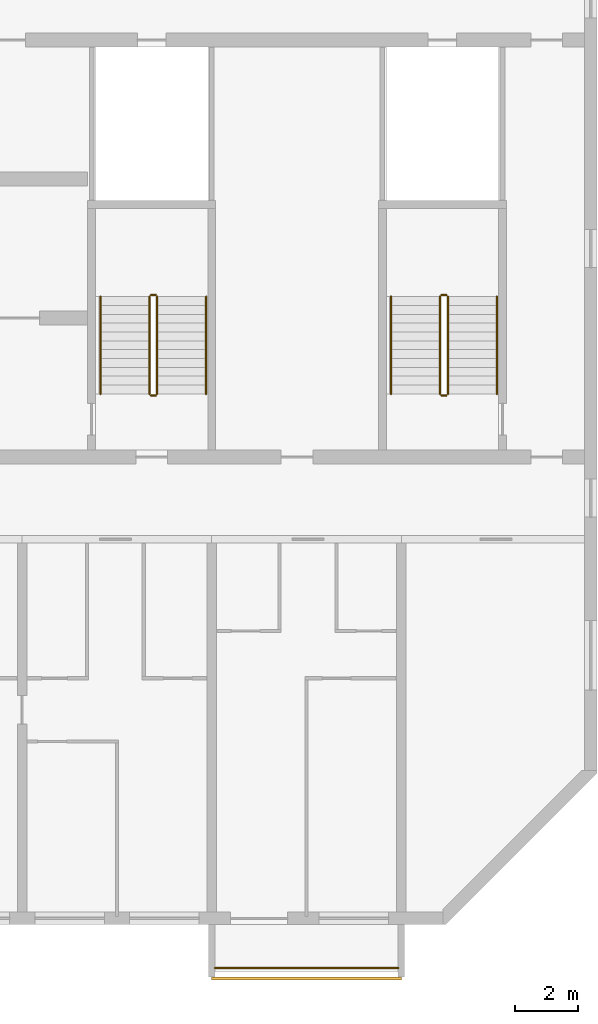
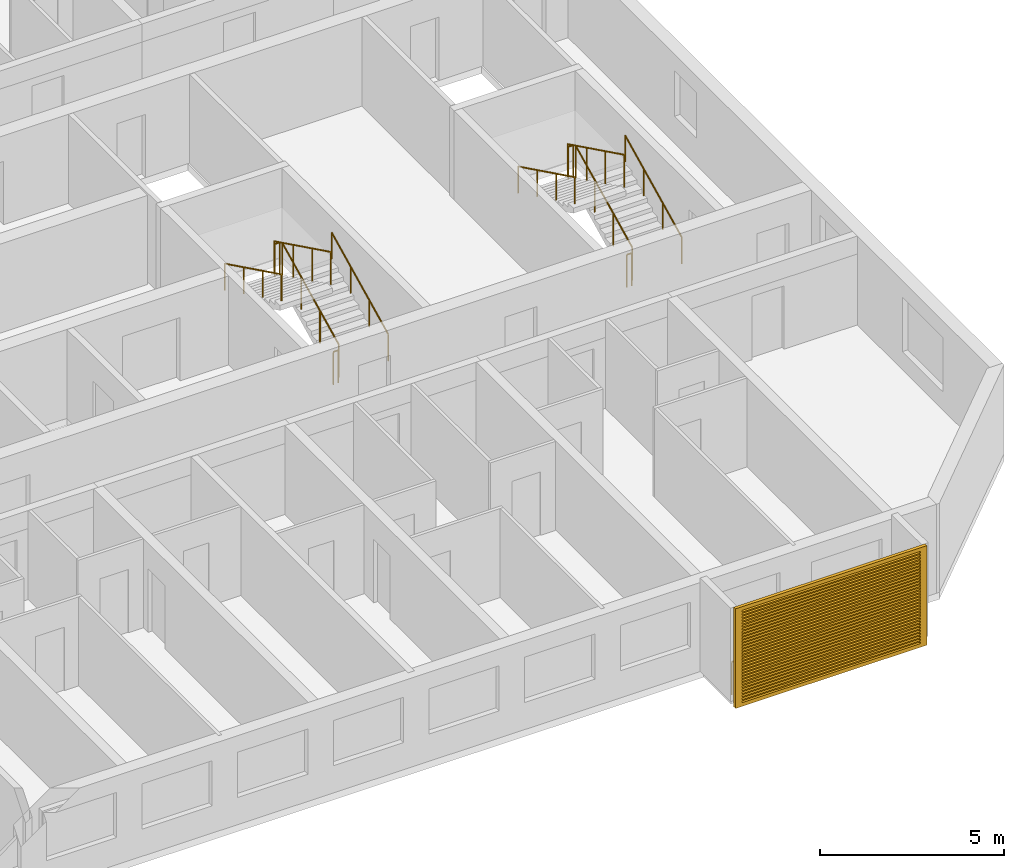
# One storey, part 14 of 26: 13 railings, 1 shading device.
"""IFC4 building model written with IfcOpenShell, lengths in metres."""

from ifc_helpers import new_model, si_unit, direction, frame, origin, origin_2d, place, context, subcontext, project, spatial, polyline, circle, outline, extrude, source, transform, mapped, material, material_profile, profile_set, type_object, element, save


model = new_model("IFC4")

# Units and contexts
model_context = context("Model", 3, precision=1e-05, world=origin(), true_north=direction((0.0, 1.0)))
body_context = subcontext(model_context, "Body", "Model", "MODEL_VIEW")
ifc_project = project(units=[si_unit("LENGTHUNIT", "METRE"), si_unit("AREAUNIT", "SQUARE_METRE"), si_unit("VOLUMEUNIT", "CUBIC_METRE"), si_unit("PLANEANGLEUNIT", "RADIAN"), si_unit("MASSUNIT", "GRAM", prefix="KILO")], contexts=[model_context])

# Site, building, storey
site_placement = place(None, origin())
site = spatial("IfcSite", under=ifc_project, at=site_placement, CompositionType="ELEMENT")
building_placement = place(site_placement, origin())
building = spatial("IfcBuilding", under=site, at=building_placement, Name="Poui Terraces", CompositionType="ELEMENT")
storey_placement = place(building_placement, frame((0.0, 0.0, 162.0)))
storey = spatial("IfcBuildingStorey", under=building, at=storey_placement, Name="L45", CompositionType="ELEMENT", Elevation=162.0)

# Railings
ifc_material_1 = material(Name="Painted steel fretwork", Category="steel")
railing_type_1 = type_object("IfcRailingType", Name="BALCONY GUARD 1100", PredefinedType="GUARDRAIL", material=ifc_material_1)
railing_1_placement = place(storey_placement, frame((72.10009765625, -1.570068359375, 0.0)))
element("IfcRailing", 1, at=railing_1_placement, inside=storey, type_object=railing_type_1, Name="BALCONY GUARD", PredefinedType="GUARDRAIL", context=body_context, shape_type="SweptSolid", body=[
    extrude(circle(Radius=0.02392578125, at=origin_2d()), frame((0.0, 0.0, 1.076171875), z_axis=(1.0, 0.0, 0.0), x_axis=(0.0, 1.0, 0.0)), (0.0, 0.0, 1.0), 5.7998046875),
    extrude(circle(Radius=0.02099609375, at=origin_2d()), origin(), (0.0, 0.0, 1.0), 1.052001953125),
    extrude(circle(Radius=0.02099609375, at=origin_2d()), frame((0.966552734375, 0.0, 0.0)), (0.0, 0.0, 1.0), 1.052001953125),
    extrude(circle(Radius=0.02099609375, at=origin_2d()), frame((1.933349609375, 0.0, 0.0)), (0.0, 0.0, 1.0), 1.052001953125),
    extrude(circle(Radius=0.02099609375, at=origin_2d()), frame((2.89990234375, 0.0, 0.0)), (0.0, 0.0, 1.0), 1.052001953125),
    extrude(circle(Radius=0.02099609375, at=origin_2d()), frame((3.866455078125, 0.0, 0.0)), (0.0, 0.0, 1.0), 1.052001953125),
    extrude(circle(Radius=0.02099609375, at=origin_2d()), frame((4.833251953125, 0.0, 0.0)), (0.0, 0.0, 1.0), 1.052001953125),
    extrude(circle(Radius=0.02099609375, at=origin_2d()), frame((5.7998046875, 0.0, 0.0)), (0.0, 0.0, 1.0), 1.052001953125),
])
ifc_material_2 = material(Name="Galvanised steel balustrade", Category="steel")
railing_type_2 = type_object("IfcRailingType", Name="STAIR GUARD 1100", PredefinedType="GUARDRAIL", material=ifc_material_2)
railing_2_placement = place(storey_placement, frame((70.27490234375, 16.60009765625, 0.137451171875)))
element("IfcRailing", 2, at=railing_2_placement, inside=storey, type_object=railing_type_2, Name="L45 ST-CE stair guard 1", PredefinedType="GUARDRAIL", context=body_context, shape_type="SweptSolid", body=[
    extrude(circle(Radius=0.02392578125, at=origin_2d()), frame((0.0, 0.0, 1.076171875), z_axis=(0.0, 0.897606190399, 0.440798283751), x_axis=(-1.0, 0.0, 0.0)), (0.0, 0.0, 1.0), 3.43115234375),
    extrude(circle(Radius=0.02099609375, at=origin_2d()), origin(), (0.0, 0.0, 1.0), 1.052001953125),
    extrude(circle(Radius=0.02099609375, at=origin_2d()), frame((0.0, 1.026611328125, 0.504150390625)), (0.0, 0.0, 1.0), 1.052001953125),
    extrude(circle(Radius=0.02099609375, at=origin_2d()), frame((0.0, 2.05322265625, 1.00830078125)), (0.0, 0.0, 1.0), 1.052001953125),
    extrude(circle(Radius=0.02099609375, at=origin_2d()), frame((0.0, 3.079833984375, 1.512451171875)), (0.0, 0.0, 1.0), 1.052001953125),
])
railing_3_placement = place(storey_placement, frame((70.22509765625, 19.72998046875, 1.64990234375)))
element("IfcRailing", 3, at=railing_3_placement, inside=storey, type_object=railing_type_2, Name="L45 ST-CE stair guard 2", PredefinedType="GUARDRAIL", context=body_context, shape_type="SweptSolid", body=[
    extrude(circle(Radius=0.02392578125, at=origin_2d()), frame((0.0, 0.0, 1.076171875), z_axis=(-1.0, 0.0, 0.0), x_axis=(0.0, -1.0, 0.0)), (0.0, 0.0, 1.0), 0.150146484375),
    extrude(circle(Radius=0.02099609375, at=origin_2d()), origin(), (0.0, 0.0, 1.0), 1.052001953125),
    extrude(circle(Radius=0.02099609375, at=origin_2d()), frame((-0.150146484375, 0.0, 0.0)), (0.0, 0.0, 1.0), 1.052001953125),
])
railing_4_placement = place(storey_placement, frame((70.02490234375, 19.679931640625, 1.78759765625)))
element("IfcRailing", 4, at=railing_4_placement, inside=storey, type_object=railing_type_2, Name="L45 ST-CE stair guard 3", PredefinedType="GUARDRAIL", context=body_context, shape_type="SweptSolid", body=[
    extrude(circle(Radius=0.02392578125, at=origin_2d()), frame((0.0, 0.0, 1.076171875), z_axis=(0.0, -0.897606190399, 0.440798283751), x_axis=(1.0, 0.0, 0.0)), (0.0, 0.0, 1.0), 3.43115234375),
    extrude(circle(Radius=0.02099609375, at=origin_2d()), origin(), (0.0, 0.0, 1.0), 1.052001953125),
    extrude(circle(Radius=0.02099609375, at=origin_2d()), frame((0.0, -1.026611328125, 0.504150390625)), (0.0, 0.0, 1.0), 1.052001953125),
    extrude(circle(Radius=0.02099609375, at=origin_2d()), frame((0.0, -2.05322265625, 1.00830078125)), (0.0, 0.0, 1.0), 1.052001953125),
    extrude(circle(Radius=0.02099609375, at=origin_2d()), frame((0.0, -3.079833984375, 1.512451171875)), (0.0, 0.0, 1.0), 1.052001953125),
])
railing_5_placement = place(storey_placement, frame((70.22509765625, 16.550048828125, 0.0)))
element("IfcRailing", 5, at=railing_5_placement, inside=storey, type_object=railing_type_2, Name="L45 ST-CE stair guard 4", PredefinedType="GUARDRAIL", context=body_context, shape_type="SweptSolid", body=[
    extrude(circle(Radius=0.02392578125, at=origin_2d()), frame((0.0, 0.0, 1.076171875), z_axis=(-1.0, 0.0, 0.0), x_axis=(0.0, -1.0, 0.0)), (0.0, 0.0, 1.0), 0.150146484375),
    extrude(circle(Radius=0.02099609375, at=origin_2d()), origin(), (0.0, 0.0, 1.0), 1.052001953125),
    extrude(circle(Radius=0.02099609375, at=origin_2d()), frame((-0.150146484375, 0.0, 0.0)), (0.0, 0.0, 1.0), 1.052001953125),
])
railing_6_placement = place(storey_placement, frame((79.47509765625, 16.60009765625, 0.137451171875)))
element("IfcRailing", 6, at=railing_6_placement, inside=storey, type_object=railing_type_2, Name="L45 ST-E stair guard 1", PredefinedType="GUARDRAIL", context=body_context, shape_type="SweptSolid", body=[
    extrude(circle(Radius=0.02392578125, at=origin_2d()), frame((0.0, 0.0, 1.076171875), z_axis=(0.0, 0.897606190399, 0.440798283751), x_axis=(-1.0, 0.0, 0.0)), (0.0, 0.0, 1.0), 3.43115234375),
    extrude(circle(Radius=0.02099609375, at=origin_2d()), origin(), (0.0, 0.0, 1.0), 1.052001953125),
    extrude(circle(Radius=0.02099609375, at=origin_2d()), frame((0.0, 1.026611328125, 0.504150390625)), (0.0, 0.0, 1.0), 1.052001953125),
    extrude(circle(Radius=0.02099609375, at=origin_2d()), frame((0.0, 2.05322265625, 1.00830078125)), (0.0, 0.0, 1.0), 1.052001953125),
    extrude(circle(Radius=0.02099609375, at=origin_2d()), frame((0.0, 3.079833984375, 1.512451171875)), (0.0, 0.0, 1.0), 1.052001953125),
])
railing_7_placement = place(storey_placement, frame((79.425048828125, 19.72998046875, 1.64990234375)))
element("IfcRailing", 7, at=railing_7_placement, inside=storey, type_object=railing_type_2, Name="L45 ST-E stair guard 2", PredefinedType="GUARDRAIL", context=body_context, shape_type="SweptSolid", body=[
    extrude(circle(Radius=0.02392578125, at=origin_2d()), frame((0.0, 0.0, 1.076171875), z_axis=(-1.0, 0.0, 0.0), x_axis=(0.0, -1.0, 0.0)), (0.0, 0.0, 1.0), 0.150146484375),
    extrude(circle(Radius=0.02099609375, at=origin_2d()), origin(), (0.0, 0.0, 1.0), 1.052001953125),
    extrude(circle(Radius=0.02099609375, at=origin_2d()), frame((-0.150146484375, 0.0, 0.0)), (0.0, 0.0, 1.0), 1.052001953125),
])
railing_8_placement = place(storey_placement, frame((79.22509765625, 19.679931640625, 1.78759765625)))
element("IfcRailing", 8, at=railing_8_placement, inside=storey, type_object=railing_type_2, Name="L45 ST-E stair guard 3", PredefinedType="GUARDRAIL", context=body_context, shape_type="SweptSolid", body=[
    extrude(circle(Radius=0.02392578125, at=origin_2d()), frame((0.0, 0.0, 1.076171875), z_axis=(0.0, -0.897606190399, 0.440798283751), x_axis=(1.0, 0.0, 0.0)), (0.0, 0.0, 1.0), 3.43115234375),
    extrude(circle(Radius=0.02099609375, at=origin_2d()), origin(), (0.0, 0.0, 1.0), 1.052001953125),
    extrude(circle(Radius=0.02099609375, at=origin_2d()), frame((0.0, -1.026611328125, 0.504150390625)), (0.0, 0.0, 1.0), 1.052001953125),
    extrude(circle(Radius=0.02099609375, at=origin_2d()), frame((0.0, -2.05322265625, 1.00830078125)), (0.0, 0.0, 1.0), 1.052001953125),
    extrude(circle(Radius=0.02099609375, at=origin_2d()), frame((0.0, -3.079833984375, 1.512451171875)), (0.0, 0.0, 1.0), 1.052001953125),
])
railing_9_placement = place(storey_placement, frame((79.425048828125, 16.550048828125, 0.0)))
element("IfcRailing", 9, at=railing_9_placement, inside=storey, type_object=railing_type_2, Name="L45 ST-E stair guard 4", PredefinedType="GUARDRAIL", context=body_context, shape_type="SweptSolid", body=[
    extrude(circle(Radius=0.02392578125, at=origin_2d()), frame((0.0, 0.0, 1.076171875), z_axis=(-1.0, 0.0, 0.0), x_axis=(0.0, -1.0, 0.0)), (0.0, 0.0, 1.0), 0.150146484375),
    extrude(circle(Radius=0.02099609375, at=origin_2d()), origin(), (0.0, 0.0, 1.0), 1.052001953125),
    extrude(circle(Radius=0.02099609375, at=origin_2d()), frame((-0.150146484375, 0.0, 0.0)), (0.0, 0.0, 1.0), 1.052001953125),
])
ifc_material_3 = material(Name="Stainless steel handrail", Category="steel")
railing_type_3 = type_object("IfcRailingType", Name="STAIR HANDRAIL 900", PredefinedType="HANDRAIL", material=ifc_material_3)
railing_10_placement = place(storey_placement, frame((71.824951171875, 16.60009765625, 0.137451171875)))
element("IfcRailing", 10, at=railing_10_placement, inside=storey, type_object=railing_type_3, Name="L45 ST-CE stair handrail 1", PredefinedType="HANDRAIL", context=body_context, shape_type="SweptSolid", body=[
    extrude(circle(Radius=0.02392578125, at=origin_2d()), frame((0.0, 0.0, 0.8759765625), z_axis=(0.0, 0.897606190399, 0.440798283751), x_axis=(-1.0, 0.0, 0.0)), (0.0, 0.0, 1.0), 3.43115234375),
    extrude(circle(Radius=0.02099609375, at=origin_2d()), origin(), (0.0, 0.0, 1.0), 0.851806640625),
    extrude(circle(Radius=0.02099609375, at=origin_2d()), frame((0.0, 1.026611328125, 0.504150390625)), (0.0, 0.0, 1.0), 0.851806640625),
    extrude(circle(Radius=0.02099609375, at=origin_2d()), frame((0.0, 2.05322265625, 1.00830078125)), (0.0, 0.0, 1.0), 0.851806640625),
    extrude(circle(Radius=0.02099609375, at=origin_2d()), frame((0.0, 3.079833984375, 1.512451171875)), (0.0, 0.0, 1.0), 0.851806640625),
])
railing_11_placement = place(storey_placement, frame((68.47509765625, 19.679931640625, 1.78759765625)))
element("IfcRailing", 11, at=railing_11_placement, inside=storey, type_object=railing_type_3, Name="L45 ST-CE stair handrail 2", PredefinedType="HANDRAIL", context=body_context, shape_type="SweptSolid", body=[
    extrude(circle(Radius=0.02392578125, at=origin_2d()), frame((0.0, 0.0, 0.8759765625), z_axis=(0.0, -0.897606190399, 0.440798283751), x_axis=(1.0, 0.0, 0.0)), (0.0, 0.0, 1.0), 3.43115234375),
    extrude(circle(Radius=0.02099609375, at=origin_2d()), origin(), (0.0, 0.0, 1.0), 0.851806640625),
    extrude(circle(Radius=0.02099609375, at=origin_2d()), frame((0.0, -1.026611328125, 0.504150390625)), (0.0, 0.0, 1.0), 0.851806640625),
    extrude(circle(Radius=0.02099609375, at=origin_2d()), frame((0.0, -2.05322265625, 1.00830078125)), (0.0, 0.0, 1.0), 0.851806640625),
    extrude(circle(Radius=0.02099609375, at=origin_2d()), frame((0.0, -3.079833984375, 1.512451171875)), (0.0, 0.0, 1.0), 0.851806640625),
])
railing_12_placement = place(storey_placement, frame((81.02490234375, 16.60009765625, 0.137451171875)))
element("IfcRailing", 12, at=railing_12_placement, inside=storey, type_object=railing_type_3, Name="L45 ST-E stair handrail 1", PredefinedType="HANDRAIL", context=body_context, shape_type="SweptSolid", body=[
    extrude(circle(Radius=0.02392578125, at=origin_2d()), frame((0.0, 0.0, 0.8759765625), z_axis=(0.0, 0.897606190399, 0.440798283751), x_axis=(-1.0, 0.0, 0.0)), (0.0, 0.0, 1.0), 3.43115234375),
    extrude(circle(Radius=0.02099609375, at=origin_2d()), origin(), (0.0, 0.0, 1.0), 0.851806640625),
    extrude(circle(Radius=0.02099609375, at=origin_2d()), frame((0.0, 1.026611328125, 0.504150390625)), (0.0, 0.0, 1.0), 0.851806640625),
    extrude(circle(Radius=0.02099609375, at=origin_2d()), frame((0.0, 2.05322265625, 1.00830078125)), (0.0, 0.0, 1.0), 0.851806640625),
    extrude(circle(Radius=0.02099609375, at=origin_2d()), frame((0.0, 3.079833984375, 1.512451171875)), (0.0, 0.0, 1.0), 0.851806640625),
])
railing_13_placement = place(storey_placement, frame((77.675048828125, 19.679931640625, 1.78759765625)))
element("IfcRailing", 13, at=railing_13_placement, inside=storey, type_object=railing_type_3, Name="L45 ST-E stair handrail 2", PredefinedType="HANDRAIL", context=body_context, shape_type="SweptSolid", body=[
    extrude(circle(Radius=0.02392578125, at=origin_2d()), frame((0.0, 0.0, 0.8759765625), z_axis=(0.0, -0.897606190399, 0.440798283751), x_axis=(1.0, 0.0, 0.0)), (0.0, 0.0, 1.0), 3.43115234375),
    extrude(circle(Radius=0.02099609375, at=origin_2d()), origin(), (0.0, 0.0, 1.0), 0.851806640625),
    extrude(circle(Radius=0.02099609375, at=origin_2d()), frame((0.0, -1.026611328125, 0.504150390625)), (0.0, 0.0, 1.0), 0.851806640625),
    extrude(circle(Radius=0.02099609375, at=origin_2d()), frame((0.0, -2.05322265625, 1.00830078125)), (0.0, 0.0, 1.0), 0.851806640625),
    extrude(circle(Radius=0.02099609375, at=origin_2d()), frame((0.0, -3.079833984375, 1.512451171875)), (0.0, 0.0, 1.0), 0.851806640625),
])

# Shading device
ifc_material_4 = material(Name="Aluminium louvre", Category="aluminium")
ifc_material_profile = material_profile(ifc_material_4, outline(polyline([(-3.0, -1.64990234375), (3.0, -1.64990234375), (3.0, 1.64990234375), (-3.0, 1.64990234375), (-3.0, -1.64990234375)]), holes=[polyline([(-2.800048828125, -1.530029296875), (2.800048828125, -1.530029296875), (2.800048828125, -1.469970703125), (-2.800048828125, -1.469970703125), (-2.800048828125, -1.530029296875)]), polyline([(-2.800048828125, -1.429931640625), (2.800048828125, -1.429931640625), (2.800048828125, -1.3701171875), (-2.800048828125, -1.3701171875), (-2.800048828125, -1.429931640625)]), polyline([(-2.800048828125, -1.330078125), (2.800048828125, -1.330078125), (2.800048828125, -1.27001953125), (-2.800048828125, -1.27001953125), (-2.800048828125, -1.330078125)]), polyline([(-2.800048828125, -1.22998046875), (2.800048828125, -1.22998046875), (2.800048828125, -1.169921875), (-2.800048828125, -1.169921875), (-2.800048828125, -1.22998046875)]), polyline([(-2.800048828125, -1.1298828125), (2.800048828125, -1.1298828125), (2.800048828125, -1.070068359375), (-2.800048828125, -1.070068359375), (-2.800048828125, -1.1298828125)]), polyline([(-2.800048828125, -1.030029296875), (2.800048828125, -1.030029296875), (2.800048828125, -0.969970703125), (-2.800048828125, -0.969970703125), (-2.800048828125, -1.030029296875)]), polyline([(-2.800048828125, -0.929931640625), (2.800048828125, -0.929931640625), (2.800048828125, -0.8701171875), (-2.800048828125, -0.8701171875), (-2.800048828125, -0.929931640625)]), polyline([(-2.800048828125, -0.830078125), (2.800048828125, -0.830078125), (2.800048828125, -0.77001953125), (-2.800048828125, -0.77001953125), (-2.800048828125, -0.830078125)]), polyline([(-2.800048828125, -0.72998046875), (2.800048828125, -0.72998046875), (2.800048828125, -0.669921875), (-2.800048828125, -0.669921875), (-2.800048828125, -0.72998046875)]), polyline([(-2.800048828125, -0.6298828125), (2.800048828125, -0.6298828125), (2.800048828125, -0.570068359375), (-2.800048828125, -0.570068359375), (-2.800048828125, -0.6298828125)]), polyline([(-2.800048828125, -0.530029296875), (2.800048828125, -0.530029296875), (2.800048828125, -0.469970703125), (-2.800048828125, -0.469970703125), (-2.800048828125, -0.530029296875)]), polyline([(-2.800048828125, -0.429931640625), (2.800048828125, -0.429931640625), (2.800048828125, -0.3701171875), (-2.800048828125, -0.3701171875), (-2.800048828125, -0.429931640625)]), polyline([(-2.800048828125, -0.330078125), (2.800048828125, -0.330078125), (2.800048828125, -0.27001953125), (-2.800048828125, -0.27001953125), (-2.800048828125, -0.330078125)]), polyline([(-2.800048828125, -0.22998046875), (2.800048828125, -0.22998046875), (2.800048828125, -0.169921875), (-2.800048828125, -0.169921875), (-2.800048828125, -0.22998046875)]), polyline([(-2.800048828125, -0.1298828125), (2.800048828125, -0.1298828125), (2.800048828125, -0.070068359375), (-2.800048828125, -0.070068359375), (-2.800048828125, -0.1298828125)]), polyline([(-2.800048828125, -0.030029296875), (2.800048828125, -0.030029296875), (2.800048828125, 0.030029296875), (-2.800048828125, 0.030029296875), (-2.800048828125, -0.030029296875)]), polyline([(-2.800048828125, 0.070068359375), (2.800048828125, 0.070068359375), (2.800048828125, 0.1298828125), (-2.800048828125, 0.1298828125), (-2.800048828125, 0.070068359375)]), polyline([(-2.800048828125, 0.169921875), (2.800048828125, 0.169921875), (2.800048828125, 0.22998046875), (-2.800048828125, 0.22998046875), (-2.800048828125, 0.169921875)]), polyline([(-2.800048828125, 0.27001953125), (2.800048828125, 0.27001953125), (2.800048828125, 0.330078125), (-2.800048828125, 0.330078125), (-2.800048828125, 0.27001953125)]), polyline([(-2.800048828125, 0.3701171875), (2.800048828125, 0.3701171875), (2.800048828125, 0.429931640625), (-2.800048828125, 0.429931640625), (-2.800048828125, 0.3701171875)]), polyline([(-2.800048828125, 0.469970703125), (2.800048828125, 0.469970703125), (2.800048828125, 0.530029296875), (-2.800048828125, 0.530029296875), (-2.800048828125, 0.469970703125)]), polyline([(-2.800048828125, 0.570068359375), (2.800048828125, 0.570068359375), (2.800048828125, 0.6298828125), (-2.800048828125, 0.6298828125), (-2.800048828125, 0.570068359375)]), polyline([(-2.800048828125, 0.669921875), (2.800048828125, 0.669921875), (2.800048828125, 0.72998046875), (-2.800048828125, 0.72998046875), (-2.800048828125, 0.669921875)]), polyline([(-2.800048828125, 0.77001953125), (2.800048828125, 0.77001953125), (2.800048828125, 0.830078125), (-2.800048828125, 0.830078125), (-2.800048828125, 0.77001953125)]), polyline([(-2.800048828125, 0.8701171875), (2.800048828125, 0.8701171875), (2.800048828125, 0.929931640625), (-2.800048828125, 0.929931640625), (-2.800048828125, 0.8701171875)]), polyline([(-2.800048828125, 0.969970703125), (2.800048828125, 0.969970703125), (2.800048828125, 1.030029296875), (-2.800048828125, 1.030029296875), (-2.800048828125, 0.969970703125)]), polyline([(-2.800048828125, 1.070068359375), (2.800048828125, 1.070068359375), (2.800048828125, 1.1298828125), (-2.800048828125, 1.1298828125), (-2.800048828125, 1.070068359375)]), polyline([(-2.800048828125, 1.169921875), (2.800048828125, 1.169921875), (2.800048828125, 1.22998046875), (-2.800048828125, 1.22998046875), (-2.800048828125, 1.169921875)]), polyline([(-2.800048828125, 1.27001953125), (2.800048828125, 1.27001953125), (2.800048828125, 1.330078125), (-2.800048828125, 1.330078125), (-2.800048828125, 1.27001953125)]), polyline([(-2.800048828125, 1.3701171875), (2.800048828125, 1.3701171875), (2.800048828125, 1.429931640625), (-2.800048828125, 1.429931640625), (-2.800048828125, 1.3701171875)]), polyline([(-2.800048828125, 1.469970703125), (2.800048828125, 1.469970703125), (2.800048828125, 1.530029296875), (-2.800048828125, 1.530029296875), (-2.800048828125, 1.469970703125)])]), Name="JALOUSIE LOUVRE SHUTTER 6000X3300")
ifc_profile_set = profile_set([ifc_material_profile], Name="Aluminium louvre")
shading_device_type = type_object("IfcShadingDeviceType", Name="JALOUSIE LOUVRE SHUTTER 6000X3300", PredefinedType="JALOUSIE", material=ifc_profile_set)
shared_shape = source(origin(), body_context, "Body", "SweptSolid", [
    extrude(outline(polyline([(-3.0, -1.64990234375), (3.0, -1.64990234375), (3.0, 1.64990234375), (-3.0, 1.64990234375), (-3.0, -1.64990234375)]), holes=[polyline([(-2.800048828125, -1.530029296875), (2.800048828125, -1.530029296875), (2.800048828125, -1.469970703125), (-2.800048828125, -1.469970703125), (-2.800048828125, -1.530029296875)]), polyline([(-2.800048828125, -1.429931640625), (2.800048828125, -1.429931640625), (2.800048828125, -1.3701171875), (-2.800048828125, -1.3701171875), (-2.800048828125, -1.429931640625)]), polyline([(-2.800048828125, -1.330078125), (2.800048828125, -1.330078125), (2.800048828125, -1.27001953125), (-2.800048828125, -1.27001953125), (-2.800048828125, -1.330078125)]), polyline([(-2.800048828125, -1.22998046875), (2.800048828125, -1.22998046875), (2.800048828125, -1.169921875), (-2.800048828125, -1.169921875), (-2.800048828125, -1.22998046875)]), polyline([(-2.800048828125, -1.1298828125), (2.800048828125, -1.1298828125), (2.800048828125, -1.070068359375), (-2.800048828125, -1.070068359375), (-2.800048828125, -1.1298828125)]), polyline([(-2.800048828125, -1.030029296875), (2.800048828125, -1.030029296875), (2.800048828125, -0.969970703125), (-2.800048828125, -0.969970703125), (-2.800048828125, -1.030029296875)]), polyline([(-2.800048828125, -0.929931640625), (2.800048828125, -0.929931640625), (2.800048828125, -0.8701171875), (-2.800048828125, -0.8701171875), (-2.800048828125, -0.929931640625)]), polyline([(-2.800048828125, -0.830078125), (2.800048828125, -0.830078125), (2.800048828125, -0.77001953125), (-2.800048828125, -0.77001953125), (-2.800048828125, -0.830078125)]), polyline([(-2.800048828125, -0.72998046875), (2.800048828125, -0.72998046875), (2.800048828125, -0.669921875), (-2.800048828125, -0.669921875), (-2.800048828125, -0.72998046875)]), polyline([(-2.800048828125, -0.6298828125), (2.800048828125, -0.6298828125), (2.800048828125, -0.570068359375), (-2.800048828125, -0.570068359375), (-2.800048828125, -0.6298828125)]), polyline([(-2.800048828125, -0.530029296875), (2.800048828125, -0.530029296875), (2.800048828125, -0.469970703125), (-2.800048828125, -0.469970703125), (-2.800048828125, -0.530029296875)]), polyline([(-2.800048828125, -0.429931640625), (2.800048828125, -0.429931640625), (2.800048828125, -0.3701171875), (-2.800048828125, -0.3701171875), (-2.800048828125, -0.429931640625)]), polyline([(-2.800048828125, -0.330078125), (2.800048828125, -0.330078125), (2.800048828125, -0.27001953125), (-2.800048828125, -0.27001953125), (-2.800048828125, -0.330078125)]), polyline([(-2.800048828125, -0.22998046875), (2.800048828125, -0.22998046875), (2.800048828125, -0.169921875), (-2.800048828125, -0.169921875), (-2.800048828125, -0.22998046875)]), polyline([(-2.800048828125, -0.1298828125), (2.800048828125, -0.1298828125), (2.800048828125, -0.070068359375), (-2.800048828125, -0.070068359375), (-2.800048828125, -0.1298828125)]), polyline([(-2.800048828125, -0.030029296875), (2.800048828125, -0.030029296875), (2.800048828125, 0.030029296875), (-2.800048828125, 0.030029296875), (-2.800048828125, -0.030029296875)]), polyline([(-2.800048828125, 0.070068359375), (2.800048828125, 0.070068359375), (2.800048828125, 0.1298828125), (-2.800048828125, 0.1298828125), (-2.800048828125, 0.070068359375)]), polyline([(-2.800048828125, 0.169921875), (2.800048828125, 0.169921875), (2.800048828125, 0.22998046875), (-2.800048828125, 0.22998046875), (-2.800048828125, 0.169921875)]), polyline([(-2.800048828125, 0.27001953125), (2.800048828125, 0.27001953125), (2.800048828125, 0.330078125), (-2.800048828125, 0.330078125), (-2.800048828125, 0.27001953125)]), polyline([(-2.800048828125, 0.3701171875), (2.800048828125, 0.3701171875), (2.800048828125, 0.429931640625), (-2.800048828125, 0.429931640625), (-2.800048828125, 0.3701171875)]), polyline([(-2.800048828125, 0.469970703125), (2.800048828125, 0.469970703125), (2.800048828125, 0.530029296875), (-2.800048828125, 0.530029296875), (-2.800048828125, 0.469970703125)]), polyline([(-2.800048828125, 0.570068359375), (2.800048828125, 0.570068359375), (2.800048828125, 0.6298828125), (-2.800048828125, 0.6298828125), (-2.800048828125, 0.570068359375)]), polyline([(-2.800048828125, 0.669921875), (2.800048828125, 0.669921875), (2.800048828125, 0.72998046875), (-2.800048828125, 0.72998046875), (-2.800048828125, 0.669921875)]), polyline([(-2.800048828125, 0.77001953125), (2.800048828125, 0.77001953125), (2.800048828125, 0.830078125), (-2.800048828125, 0.830078125), (-2.800048828125, 0.77001953125)]), polyline([(-2.800048828125, 0.8701171875), (2.800048828125, 0.8701171875), (2.800048828125, 0.929931640625), (-2.800048828125, 0.929931640625), (-2.800048828125, 0.8701171875)]), polyline([(-2.800048828125, 0.969970703125), (2.800048828125, 0.969970703125), (2.800048828125, 1.030029296875), (-2.800048828125, 1.030029296875), (-2.800048828125, 0.969970703125)]), polyline([(-2.800048828125, 1.070068359375), (2.800048828125, 1.070068359375), (2.800048828125, 1.1298828125), (-2.800048828125, 1.1298828125), (-2.800048828125, 1.070068359375)]), polyline([(-2.800048828125, 1.169921875), (2.800048828125, 1.169921875), (2.800048828125, 1.22998046875), (-2.800048828125, 1.22998046875), (-2.800048828125, 1.169921875)]), polyline([(-2.800048828125, 1.27001953125), (2.800048828125, 1.27001953125), (2.800048828125, 1.330078125), (-2.800048828125, 1.330078125), (-2.800048828125, 1.27001953125)]), polyline([(-2.800048828125, 1.3701171875), (2.800048828125, 1.3701171875), (2.800048828125, 1.429931640625), (-2.800048828125, 1.429931640625), (-2.800048828125, 1.3701171875)]), polyline([(-2.800048828125, 1.469970703125), (2.800048828125, 1.469970703125), (2.800048828125, 1.530029296875), (-2.800048828125, 1.530029296875), (-2.800048828125, 1.469970703125)])]), origin(), (0.0, 0.0, 1.0), 0.099853515625),
])
shading_device_placement = place(storey_placement, frame((75.0, -1.85009765625, 1.449951171875), z_axis=(0.0, -1.0, 0.0), x_axis=(1.0, 0.0, 0.0)))
element("IfcShadingDevice", 14, at=shading_device_placement, inside=storey, type_object=shading_device_type, Name="JALOUSIE LOUVRE SHUTTER", PredefinedType="JALOUSIE", context=body_context, shape_type="MappedRepresentation", body=[
    mapped(shared_shape, transform((0.0, 0.0, 0.0))),
])

save(model, "model.ifc")
